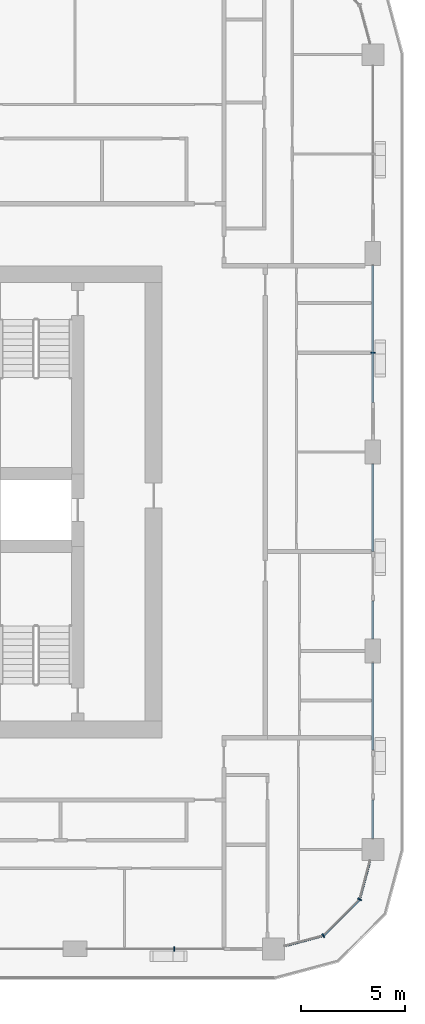
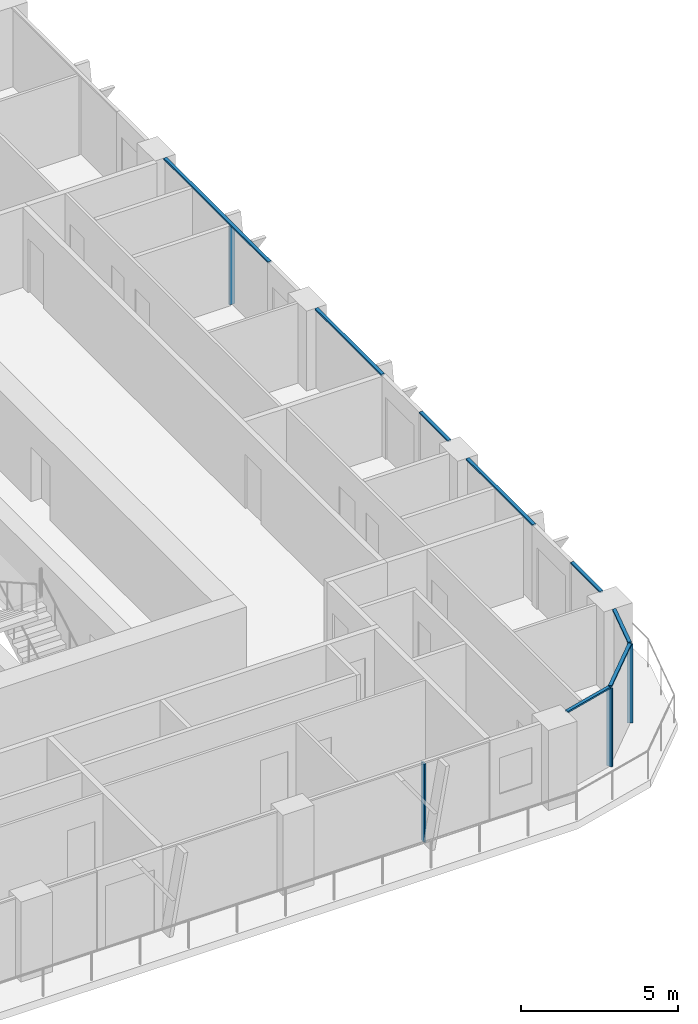
# One storey, part 4 of 22: 12 members, 5 elements without a shape of their own.
"""IFC4 building model written with IfcOpenShell, lengths in metres."""

from ifc_helpers import new_model, si_unit, direction, frame, origin, origin_2d, place, context, subcontext, project, spatial, rectangle, extrude, material, layer, layer_set, material_profile, profile_set, type_object, element, aggregate, save


model = new_model("IFC4")

# Units and contexts
model_context = context("Model", 3, precision=1e-05, world=origin(), true_north=direction((0.0, 1.0)))
body_context = subcontext(model_context, "Body", "Model", "MODEL_VIEW")
ifc_project = project(units=[si_unit("LENGTHUNIT", "METRE"), si_unit("AREAUNIT", "SQUARE_METRE"), si_unit("VOLUMEUNIT", "CUBIC_METRE"), si_unit("PLANEANGLEUNIT", "RADIAN"), si_unit("MASSUNIT", "GRAM", prefix="KILO")], contexts=[model_context])

# Site, building, storey
site_placement = place(None, origin())
site = spatial("IfcSite", under=ifc_project, at=site_placement, CompositionType="ELEMENT")
building_placement = place(site_placement, origin())
building = spatial("IfcBuilding", under=site, at=building_placement, Name="Madar Terraces", CompositionType="ELEMENT")
storey_placement = place(building_placement, frame((0.0, 0.0, 140.10009765625)))
storey = spatial("IfcBuildingStorey", under=building, at=storey_placement, Name="L36", CompositionType="ELEMENT", Elevation=140.10009765625)

# Curtain wall, member
ifc_material_1 = material(Name="Glass, ceramic frit dark grey, with black aluminium frame", Category="aluminium")
ifc_layer = layer(ifc_material_1, 0.199951171875)
ifc_layer_set = layer_set([ifc_layer], Name="Facade curtain wall, fritted glass")
curtain_wall_type = type_object("IfcCurtainWallType", Name="Facade curtain wall, fritted glass", PredefinedType="NOTDEFINED", material=ifc_layer_set)
curtain_wall_1_placement = place(storey_placement, origin())
curtain_wall_1 = element("IfcCurtainWall", 1, at=curtain_wall_1_placement, inside=storey, type_object=curtain_wall_type, Name="Outer skin curtain wall south bay 5", PredefinedType="NOTDEFINED")
ifc_material_2 = material(Name="Aluminium, black anodised", Category="aluminium")
ifc_material_profile_1 = material_profile(ifc_material_2, rectangle(XDim=0.199951171875, YDim=0.06005859375, at=origin_2d()), Name="Facade mullion 60x200")
ifc_profile_set_1 = profile_set([ifc_material_profile_1], Name="Aluminium, black anodised")
member_type_1 = type_object("IfcMemberType", Name="Facade mullion 60x200", PredefinedType="MULLION", material=ifc_profile_set_1)
member_1_placement = place(storey_placement, frame((48.0, 4.800048828125, 0.0), z_axis=(0.0, 0.0, 1.0), x_axis=(0.0, 1.0, 0.0)))
member_1 = element("IfcMember", 2, at=member_1_placement, type_object=member_type_1, Name="Mullion 1", PredefinedType="MULLION", context=body_context, shape_type="SweptSolid", body=[
    extrude(rectangle(XDim=0.199951171875, YDim=0.06005859375, at=origin_2d()), origin(), (0.0, 0.0, 1.0), 3.039794921875),
])
aggregate(curtain_wall_1, [member_1])

curtain_wall_2_placement = place(storey_placement, origin())
curtain_wall_2 = element("IfcCurtainWall", 3, at=curtain_wall_2_placement, inside=storey, type_object=curtain_wall_type, Name="Outer skin curtain wall east bay 3", PredefinedType="NOTDEFINED")
member_2_placement = place(storey_placement, frame((57.60009765625, 33.60009765625, 0.0), z_axis=(0.0, 0.0, 1.0), x_axis=(-1.0, 0.0, 0.0)))
member_2 = element("IfcMember", 4, at=member_2_placement, type_object=member_type_1, Name="Mullion 1", PredefinedType="MULLION", context=body_context, shape_type="SweptSolid", body=[
    extrude(rectangle(XDim=0.199951171875, YDim=0.06005859375, at=origin_2d()), origin(), (0.0, 0.0, 1.0), 3.039794921875),
])

# Curtain wall, members
curtain_wall_3_placement = place(storey_placement, origin())
curtain_wall_3 = element("IfcCurtainWall", 5, at=curtain_wall_3_placement, inside=storey, type_object=curtain_wall_type, Name="Outer skin curtain wall south-east corner", PredefinedType="NOTDEFINED")
member_3_placement = place(storey_placement, frame((55.199951171875, 5.443115234375, 0.0), z_axis=(0.0, 0.0, 1.0), x_axis=(-0.499999989586, 0.866025409797, 0.0)))
member_3 = element("IfcMember", 6, at=member_3_placement, type_object=member_type_1, Name="Mullion 1", PredefinedType="MULLION", context=body_context, shape_type="SweptSolid", body=[
    extrude(rectangle(XDim=0.199951171875, YDim=0.06005859375, at=origin_2d()), origin(), (0.0, 0.0, 1.0), 3.039794921875),
])
member_4_placement = place(storey_placement, frame((56.95703125, 7.199951171875, 0.0), z_axis=(0.0, 0.0, 1.0), x_axis=(-0.866025409797, 0.499999989586, 0.0)))
member_4 = element("IfcMember", 7, at=member_4_placement, type_object=member_type_1, Name="Mullion 2", PredefinedType="MULLION", context=body_context, shape_type="SweptSolid", body=[
    extrude(rectangle(XDim=0.199951171875, YDim=0.06005859375, at=origin_2d()), origin(), (0.0, 0.0, 1.0), 3.039794921875),
])

curtain_wall_4_placement = place(storey_placement, origin())
curtain_wall_4 = element("IfcCurtainWall", 8, at=curtain_wall_4_placement, inside=storey, type_object=curtain_wall_type, Name="Outer skin curtain wall east bay 1", PredefinedType="NOTDEFINED")
ifc_material_3 = material(Name="Aluminium, black anodised", Category="aluminium")
ifc_material_profile_2 = material_profile(ifc_material_3, rectangle(XDim=0.1201171875, YDim=0.06005859375, at=origin_2d()), Name="Facade transom 60x120")
ifc_profile_set_2 = profile_set([ifc_material_profile_2], Name="Aluminium, black anodised")
member_type_2 = type_object("IfcMemberType", Name="Facade transom 60x120", PredefinedType="USERDEFINED", material=ifc_profile_set_2)
member_5_placement = place(storey_placement, frame((57.60009765625, 10.125, 3.06982421875), z_axis=(0.0, 1.0, 0.0), x_axis=(-1.0, 0.0, 0.0)))
member_5 = element("IfcMember", 9, at=member_5_placement, type_object=member_type_2, Name="Transom 1", ObjectType="TRANSOM", PredefinedType="USERDEFINED", context=body_context, shape_type="SweptSolid", body=[
    extrude(rectangle(XDim=0.1201171875, YDim=0.06005859375, at=origin_2d()), origin(), (0.0, 0.0, 1.0), 1.875),
])
member_6_placement = place(storey_placement, frame((57.60009765625, 14.39990234375, 3.06982421875), z_axis=(0.0, 1.0, 0.0), x_axis=(-1.0, 0.0, 0.0)))
member_6 = element("IfcMember", 10, at=member_6_placement, type_object=member_type_2, Name="Transom 2", ObjectType="TRANSOM", PredefinedType="USERDEFINED", context=body_context, shape_type="SweptSolid", body=[
    extrude(rectangle(XDim=0.1201171875, YDim=0.06005859375, at=origin_2d()), origin(), (0.0, 0.0, 1.0), 4.22509765625),
])
aggregate(curtain_wall_4, [member_5, member_6])

curtain_wall_5_placement = place(storey_placement, origin())
curtain_wall_5 = element("IfcCurtainWall", 11, at=curtain_wall_5_placement, inside=storey, type_object=curtain_wall_type, Name="Outer skin curtain wall east bay 2", PredefinedType="NOTDEFINED")
member_7_placement = place(storey_placement, frame((57.60009765625, 19.77490234375, 3.06982421875), z_axis=(0.0, 1.0, 0.0), x_axis=(-1.0, 0.0, 0.0)))
member_7 = element("IfcMember", 12, at=member_7_placement, type_object=member_type_2, Name="Transom 1", ObjectType="TRANSOM", PredefinedType="USERDEFINED", context=body_context, shape_type="SweptSolid", body=[
    extrude(rectangle(XDim=0.1201171875, YDim=0.06005859375, at=origin_2d()), origin(), (0.0, 0.0, 1.0), 1.8251953125),
])
member_8_placement = place(storey_placement, frame((57.60009765625, 24.0, 3.06982421875), z_axis=(0.0, 1.0, 0.0), x_axis=(-1.0, 0.0, 0.0)))
member_8 = element("IfcMember", 13, at=member_8_placement, type_object=member_type_2, Name="Transom 2", ObjectType="TRANSOM", PredefinedType="USERDEFINED", context=body_context, shape_type="SweptSolid", body=[
    extrude(rectangle(XDim=0.1201171875, YDim=0.06005859375, at=origin_2d()), origin(), (0.0, 0.0, 1.0), 4.22509765625),
])
aggregate(curtain_wall_5, [member_7, member_8])

# Member
member_9_placement = place(storey_placement, frame((57.60009765625, 31.199951171875, 3.06982421875), z_axis=(0.0, 1.0, 0.0), x_axis=(-1.0, 0.0, 0.0)))
member_9 = element("IfcMember", 14, at=member_9_placement, type_object=member_type_2, Name="Transom 1", ObjectType="TRANSOM", PredefinedType="USERDEFINED", context=body_context, shape_type="SweptSolid", body=[
    extrude(rectangle(XDim=0.1201171875, YDim=0.06005859375, at=origin_2d()), origin(), (0.0, 0.0, 1.0), 6.625),
])

aggregate(curtain_wall_2, [member_2, member_9])

member_10_placement = place(storey_placement, frame((53.324951171875, 4.940673828125, 3.06982421875), z_axis=(0.965933227928, 0.25879142023, 0.0), x_axis=(-0.25879142023, 0.965933227928, 0.0)))
member_10 = element("IfcMember", 15, at=member_10_placement, type_object=member_type_2, Name="Transom 1", ObjectType="TRANSOM", PredefinedType="USERDEFINED", context=body_context, shape_type="SweptSolid", body=[
    extrude(rectangle(XDim=0.1201171875, YDim=0.06005859375, at=origin_2d()), origin(), (0.0, 0.0, 1.0), 1.911376953125),
])

member_11_placement = place(storey_placement, frame((55.22119140625, 5.46435546875, 3.06982421875), z_axis=(0.707157125196, 0.707056433593, 0.0), x_axis=(-0.707056433593, 0.707157125196, 0.0)))
member_11 = element("IfcMember", 16, at=member_11_placement, type_object=member_type_2, Name="Transom 2", ObjectType="TRANSOM", PredefinedType="USERDEFINED", context=body_context, shape_type="SweptSolid", body=[
    extrude(rectangle(XDim=0.1201171875, YDim=0.06005859375, at=origin_2d()), origin(), (0.0, 0.0, 1.0), 2.424560546875),
])

member_12_placement = place(storey_placement, frame((56.964599609375, 7.22900390625, 3.06982421875), z_axis=(0.258823354654, 0.965924671538, 0.0), x_axis=(-0.965924671538, 0.258823354654, 0.0)))
member_12 = element("IfcMember", 17, at=member_12_placement, type_object=member_type_2, Name="Transom 3", ObjectType="TRANSOM", PredefinedType="USERDEFINED", context=body_context, shape_type="SweptSolid", body=[
    extrude(rectangle(XDim=0.1201171875, YDim=0.06005859375, at=origin_2d()), origin(), (0.0, 0.0, 1.0), 1.9111328125),
])

aggregate(curtain_wall_3, [member_3, member_10, member_4, member_11, member_12])

save(model, "model.ifc")
